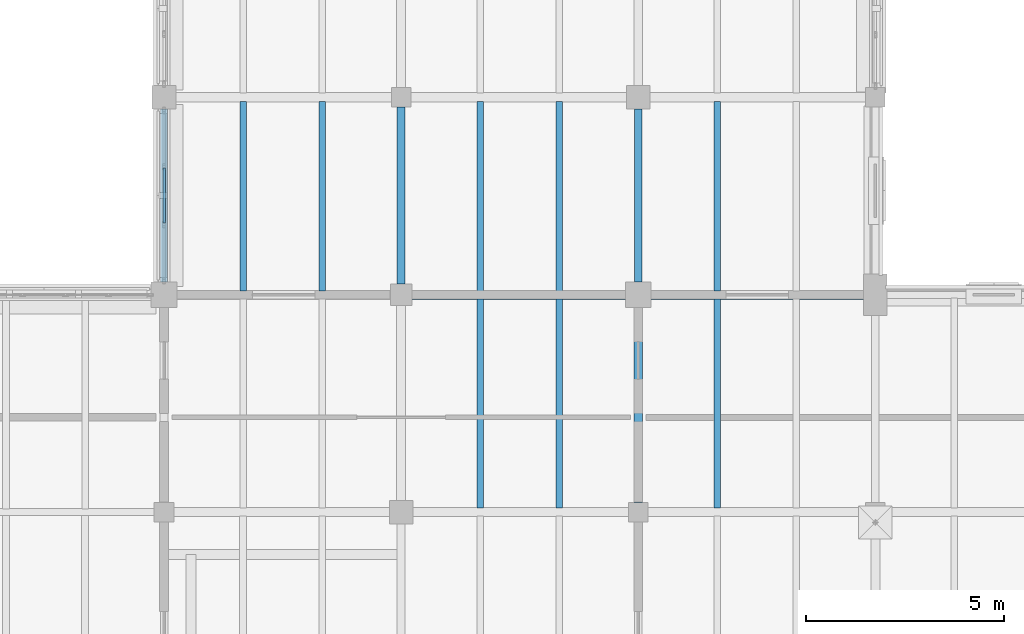
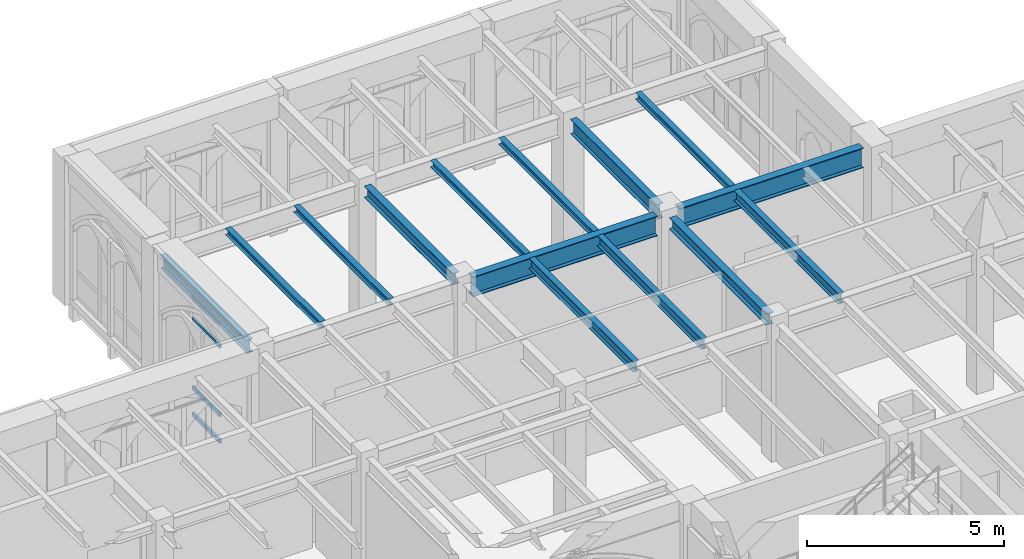
# One storey, part 32 of 143: 14 beams, 4 members, 1 element without a shape of its own.
"""IFC4 building model written with IfcOpenShell, lengths in metres."""

from ifc_helpers import new_model, si_unit, direction, frame, origin, origin_2d, place, context, subcontext, project, spatial, hollow_rectangle, i_section, extrude, material, layer, layer_set, material_profile, profile_set, type_object, element, aggregate, save


model = new_model("IFC4")

# Units and contexts
model_context = context("Model", 3, precision=1e-05, world=origin(), true_north=direction((0.0, 1.0)))
body_context = subcontext(model_context, "Body", "Model", "MODEL_VIEW")
ifc_project = project(units=[si_unit("LENGTHUNIT", "METRE"), si_unit("AREAUNIT", "SQUARE_METRE"), si_unit("VOLUMEUNIT", "CUBIC_METRE"), si_unit("PLANEANGLEUNIT", "RADIAN"), si_unit("MASSUNIT", "GRAM", prefix="KILO")], contexts=[model_context])

# Site, building, storey
site_placement = place(None, origin())
site = spatial("IfcSite", under=ifc_project, at=site_placement, CompositionType="ELEMENT")
building_placement = place(site_placement, origin())
building = spatial("IfcBuilding", under=site, at=building_placement, Name="Cumevento Cable Car Station", CompositionType="ELEMENT")
storey_placement = place(building_placement, frame((0.0, 0.0, 9.0)))
storey = spatial("IfcBuildingStorey", under=building, at=storey_placement, Name="L03", CompositionType="ELEMENT", Elevation=9.0)

# Curtain wall, members
ifc_material_1 = material(Name="Anodised Bronze Aluminium AW-6063-T6", Category="aluminium")
ifc_layer = layer(ifc_material_1, 0.2080078125)
ifc_layer_set = layer_set([ifc_layer], Name="Anodised Bronze Aluminium AW-6063-T6")
curtain_wall_type = type_object("IfcCurtainWallType", Name="Lancet Curtain Wall CW-09 1370", PredefinedType="NOTDEFINED", material=ifc_layer_set)
curtain_wall_placement = place(storey_placement, origin())
curtain_wall = element("IfcCurtainWall", 1, at=curtain_wall_placement, inside=storey, type_object=curtain_wall_type, Name="Lancet Curtain Wall CW-09 L03 #120", PredefinedType="NOTDEFINED")
ifc_material_2 = material(Name="Anodised Bronze Aluminium AW-6063-T6", Category="aluminium")
ifc_material_profile_1 = material_profile(ifc_material_2, hollow_rectangle(XDim=0.06494140625, YDim=0.1201171875, WallThickness=0.00390625, at=origin_2d()), Name="ALUT65x120x4")
ifc_profile_set_1 = profile_set([ifc_material_profile_1], Name="Anodised Bronze Aluminium AW-6063-T6")
member_type = type_object("IfcMemberType", Name="Curtain Transom CWT-01 ALUT65x120x4", PredefinedType="USERDEFINED", material=ifc_profile_set_1)
member_1_placement = place(storey_placement, frame((52.0, 58.31591796875, 0.1923828125), z_axis=(0.0, 1.0, 0.0), x_axis=(-1.0, 0.0, 0.0)))
member_1 = element("IfcMember", 2, at=member_1_placement, type_object=member_type, Name="CW-09 transom 2.1", ObjectType="TRANSOM", PredefinedType="USERDEFINED", context=body_context, shape_type="SweptSolid", body=[
    extrude(hollow_rectangle(XDim=0.06494140625, YDim=0.1201171875, WallThickness=0.00390625, at=origin_2d()), origin(), (0.0, 0.0, 1.0), 1.393310546875),
])
member_2_placement = place(storey_placement, frame((52.0, 58.31591796875, 1.010009765625), z_axis=(0.0, 1.0, 0.0), x_axis=(-1.0, 0.0, 0.0)))
member_2 = element("IfcMember", 3, at=member_2_placement, type_object=member_type, Name="CW-09 transom 2.2", ObjectType="TRANSOM", PredefinedType="USERDEFINED", context=body_context, shape_type="SweptSolid", body=[
    extrude(hollow_rectangle(XDim=0.06494140625, YDim=0.1201171875, WallThickness=0.00390625, at=origin_2d()), origin(), (0.0, 0.0, 1.0), 1.393310546875),
])
member_3_placement = place(storey_placement, frame((52.0, 58.31591796875, 3.133056640625), z_axis=(0.0, 1.0, 0.0), x_axis=(-1.0, 0.0, 0.0)))
member_3 = element("IfcMember", 4, at=member_3_placement, type_object=member_type, Name="CW-09 transom 2.3", ObjectType="TRANSOM", PredefinedType="USERDEFINED", context=body_context, shape_type="SweptSolid", body=[
    extrude(hollow_rectangle(XDim=0.06494140625, YDim=0.1201171875, WallThickness=0.00390625, at=origin_2d()), origin(), (0.0, 0.0, 1.0), 1.393310546875),
])
member_4_placement = place(storey_placement, frame((52.0, 58.31591796875, 3.800537109375), z_axis=(0.0, 1.0, 0.0), x_axis=(-1.0, 0.0, 0.0)))
member_4 = element("IfcMember", 5, at=member_4_placement, type_object=member_type, Name="CW-09 transom 2.4", ObjectType="TRANSOM", PredefinedType="USERDEFINED", context=body_context, shape_type="SweptSolid", body=[
    extrude(hollow_rectangle(XDim=0.06494140625, YDim=0.1201171875, WallThickness=0.00390625, at=origin_2d()), origin(), (0.0, 0.0, 1.0), 1.393310546875),
])
aggregate(curtain_wall, [member_1, member_2, member_3, member_4])

# Beams
ifc_material_3 = material(Name="Steel ASTM A572 Grade 50", Category="steel")
ifc_material_profile_2 = material_profile(ifc_material_3, i_section(OverallWidth=0.22998046875, OverallDepth=0.616943359375, WebThickness=0.01318359375, FlangeThickness=0.022216796875, at=origin_2d()), Name="W610x140.0")
ifc_profile_set_2 = profile_set([ifc_material_profile_2], Name="Steel ASTM A572 Grade 50")
beam_type_1 = type_object("IfcBeamType", Name="Structural Beam BM-01 W610x140.0", PredefinedType="BEAM", material=ifc_profile_set_2)
beam_1_placement = place(storey_placement, frame((58.27490234375, 56.5, 3.931396484375), z_axis=(1.0, 0.0, 0.0), x_axis=(0.0, 1.0, 0.0)))
element("IfcBeam", 6, at=beam_1_placement, inside=storey, type_object=beam_type_1, Name="Beam BM-01 L03 #1061", PredefinedType="BEAM", context=body_context, shape_type="SweptSolid", body=[
    extrude(i_section(OverallWidth=0.22998046875, OverallDepth=0.616943359375, WebThickness=0.01318359375, FlangeThickness=0.022216796875, at=origin_2d()), origin(), (0.0, 0.0, 1.0), 5.400146484375),
])
beam_2_placement = place(storey_placement, frame((64.324951171875, 56.5, 3.931396484375), z_axis=(1.0, 0.0, 0.0), x_axis=(0.0, 1.0, 0.0)))
element("IfcBeam", 7, at=beam_2_placement, inside=storey, type_object=beam_type_1, Name="Beam BM-01 L03 #1071", PredefinedType="BEAM", context=body_context, shape_type="SweptSolid", body=[
    extrude(i_section(OverallWidth=0.22998046875, OverallDepth=0.616943359375, WebThickness=0.01318359375, FlangeThickness=0.022216796875, at=origin_2d()), origin(), (0.0, 0.0, 1.0), 5.375),
])
ifc_material_4 = material(Name="Steel ASTM A572 Grade 50", Category="steel")
ifc_material_profile_3 = material_profile(ifc_material_4, i_section(OverallWidth=0.18994140625, OverallDepth=0.45703125, WebThickness=0.009033203125, FlangeThickness=0.014404296875, at=origin_2d()), Name="W460x74.0")
ifc_profile_set_3 = profile_set([ifc_material_profile_3], Name="Steel ASTM A572 Grade 50")
beam_type_2 = type_object("IfcBeamType", Name="Structural Beam BM-04 W460x74.0", PredefinedType="BEAM", material=ifc_profile_set_3)
beam_3_placement = place(storey_placement, frame((64.0, 56.824951171875, 4.011474609375), z_axis=(0.0, 1.0, 0.0), x_axis=(-1.0, 0.0, 0.0)))
element("IfcBeam", 8, at=beam_3_placement, inside=storey, type_object=beam_type_2, Name="Beam BM-04 L03 #1118", PredefinedType="BEAM", context=body_context, shape_type="SweptSolid", body=[
    extrude(i_section(OverallWidth=0.18994140625, OverallDepth=0.45703125, WebThickness=0.009033203125, FlangeThickness=0.014404296875, at=origin_2d()), origin(), (0.0, 0.0, 1.0), 4.375),
])
ifc_material_5 = material(Name="Steel ASTM A572 Grade 50", Category="steel")
ifc_material_profile_4 = material_profile(ifc_material_5, i_section(OverallWidth=0.205078125, OverallDepth=0.35400390625, WebThickness=0.009521484375, FlangeThickness=0.016845703125, at=origin_2d()), Name="W360x79.0")
ifc_profile_set_4 = profile_set([ifc_material_profile_4], Name="Steel ASTM A572 Grade 50")
beam_type_3 = type_object("IfcBeamType", Name="Structural Beam BM-05 W360x79.0", PredefinedType="BEAM", material=ifc_profile_set_4)
beam_4_placement = place(storey_placement, frame((64.0, 51.25, 4.06298828125), z_axis=(0.0, 1.0, 0.0), x_axis=(-1.0, 0.0, 0.0)))
element("IfcBeam", 9, at=beam_4_placement, inside=storey, type_object=beam_type_3, Name="Beam BM-05 L03 #1065", PredefinedType="BEAM", context=body_context, shape_type="SweptSolid", body=[
    extrude(i_section(OverallWidth=0.205078125, OverallDepth=0.35400390625, WebThickness=0.009521484375, FlangeThickness=0.016845703125, at=origin_2d()), origin(), (0.0, 0.0, 1.0), 4.925048828125),
])
beam_5_placement = place(storey_placement, frame((58.0, 56.77490234375, 4.06298828125), z_axis=(0.0, 1.0, 0.0), x_axis=(-1.0, 0.0, 0.0)))
element("IfcBeam", 10, at=beam_5_placement, inside=storey, type_object=beam_type_3, Name="Beam BM-05 L03 #1116", PredefinedType="BEAM", context=body_context, shape_type="SweptSolid", body=[
    extrude(i_section(OverallWidth=0.205078125, OverallDepth=0.35400390625, WebThickness=0.009521484375, FlangeThickness=0.016845703125, at=origin_2d()), origin(), (0.0, 0.0, 1.0), 4.47509765625),
])
ifc_material_6 = material(Name="Steel ASTM A572 Grade 50", Category="steel")
ifc_material_profile_5 = material_profile(ifc_material_6, i_section(OverallWidth=0.1669921875, OverallDepth=0.31689453125, WebThickness=0.007568359375, FlangeThickness=0.01318359375, at=origin_2d()), Name="W310x52.0")
ifc_profile_set_5 = profile_set([ifc_material_profile_5], Name="Steel ASTM A572 Grade 50")
beam_type_4 = type_object("IfcBeamType", Name="Structural Joist JS-02 W310x52.0", PredefinedType="JOIST", material=ifc_profile_set_5)
for number, where, z_axis, x_axis, name in (
    (11, (60.0, 51.10302734375, 4.08154296875), (0.0, 1.0, 0.0), (-1.0, 0.0, 0.0), "Composite Floor Joist JS-02 L03 #1245"),
    (12, (62.0, 51.10302734375, 4.08154296875), (0.0, 1.0, 0.0), (-1.0, 0.0, 0.0), "Composite Floor Joist JS-02 L03 #1247"),
    (13, (66.0, 51.10302734375, 4.08154296875), (0.0, 1.0, 0.0), (-1.0, 0.0, 0.0), "Composite Floor Joist JS-02 L03 #1249"),
):
    element("IfcBeam", number, at=place(storey_placement, frame(where, z_axis=z_axis, x_axis=x_axis)), inside=storey, type_object=beam_type_4, Name=name, PredefinedType="JOIST", context=body_context, shape_type="SweptSolid", body=[
        extrude(i_section(OverallWidth=0.1669921875, OverallDepth=0.31689453125, WebThickness=0.007568359375, FlangeThickness=0.01318359375, at=origin_2d()), origin(), (0.0, 0.0, 1.0), 5.2939453125),
    ])
ifc_material_7 = material(Name="Steel ASTM A572 Grade 50", Category="steel")
ifc_material_profile_6 = material_profile(ifc_material_7, i_section(OverallWidth=0.1650390625, OverallDepth=0.200927734375, WebThickness=0.006103515625, FlangeThickness=0.01025390625, at=origin_2d()), Name="W200x35.9")
ifc_profile_set_6 = profile_set([ifc_material_profile_6], Name="Steel ASTM A572 Grade 50")
beam_type_5 = type_object("IfcBeamType", Name="Structural Joist JS-04 W200x35.9", PredefinedType="JOIST", material=ifc_profile_set_6)
for number, where, z_axis, x_axis, name in (
    (14, (54.0, 56.60302734375, 4.139404296875), (0.0, 1.0, 0.0), (-1.0, 0.0, 0.0), "Composite Floor Joist JS-04 L03 #1284"),
    (15, (56.0, 56.60302734375, 4.139404296875), (0.0, 1.0, 0.0), (-1.0, 0.0, 0.0), "Composite Floor Joist JS-04 L03 #1286"),
    (16, (60.0, 56.60302734375, 4.139404296875), (0.0, 1.0, 0.0), (-1.0, 0.0, 0.0), "Composite Floor Joist JS-04 L03 #1288"),
    (17, (62.0, 56.60302734375, 4.139404296875), (0.0, 1.0, 0.0), (-1.0, 0.0, 0.0), "Composite Floor Joist JS-04 L03 #1290"),
    (18, (66.0, 56.60302734375, 4.139404296875), (0.0, 1.0, 0.0), (-1.0, 0.0, 0.0), "Composite Floor Joist JS-04 L03 #1292"),
):
    element("IfcBeam", number, at=place(storey_placement, frame(where, z_axis=z_axis, x_axis=x_axis)), inside=storey, type_object=beam_type_5, Name=name, PredefinedType="JOIST", context=body_context, shape_type="SweptSolid", body=[
        extrude(i_section(OverallWidth=0.1650390625, OverallDepth=0.200927734375, WebThickness=0.006103515625, FlangeThickness=0.01025390625, at=origin_2d()), origin(), (0.0, 0.0, 1.0), 4.7939453125),
    ])
ifc_material_8 = material(Name="Steel ASTM A572 Grade 50", Category="steel")
ifc_material_profile_7 = material_profile(ifc_material_8, i_section(OverallWidth=0.177978515625, OverallDepth=0.406982421875, WebThickness=0.0078125, FlangeThickness=0.0126953125, at=origin_2d()), Name="W410x60.0")
ifc_profile_set_7 = profile_set([ifc_material_profile_7], Name="Steel ASTM A572 Grade 50")
beam_type_6 = type_object("IfcBeamType", Name="Structural Spandrel SP-01 W410x60.0", PredefinedType="SPANDREL", material=ifc_profile_set_7)
beam_6_placement = place(storey_placement, frame((52.0, 56.824951171875, 4.03662109375), z_axis=(0.0, 1.0, 0.0), x_axis=(-1.0, 0.0, 0.0)))
element("IfcBeam", 19, at=beam_6_placement, inside=storey, type_object=beam_type_6, Name="Beam SP-01 L03 #1114", PredefinedType="SPANDREL", context=body_context, shape_type="SweptSolid", body=[
    extrude(i_section(OverallWidth=0.177978515625, OverallDepth=0.406982421875, WebThickness=0.0078125, FlangeThickness=0.0126953125, at=origin_2d()), origin(), (0.0, 0.0, 1.0), 4.375),
])

save(model, "model.ifc")
